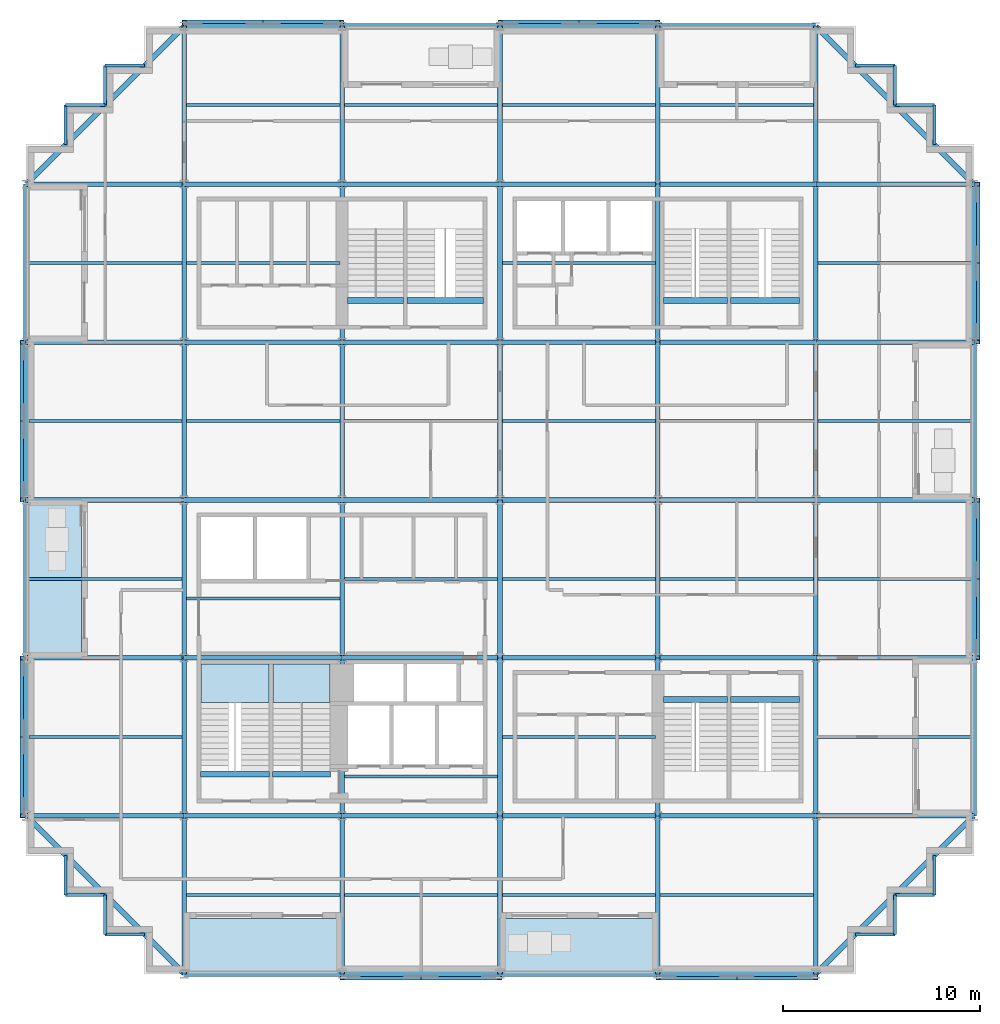
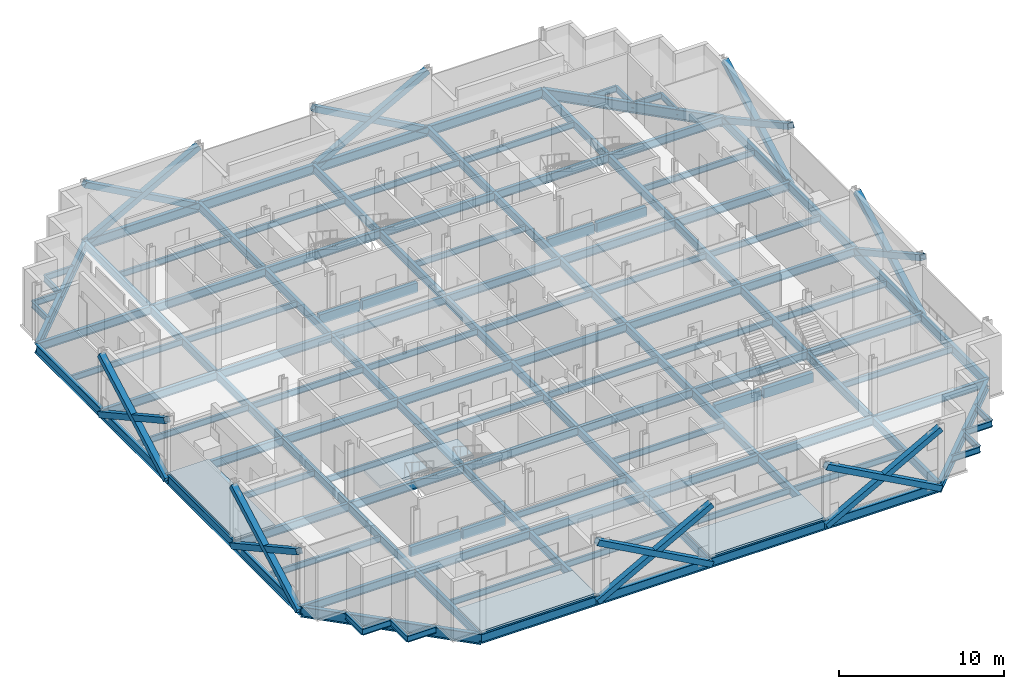
# One storey, part 4 of 15: 132 beams, 16 members, 5 slabs, 2 elements without a shape of their own.
"""IFC4 building model written with IfcOpenShell, lengths in metres."""

from ifc_helpers import new_model, si_unit, direction, frame, origin, origin_2d, place, context, subcontext, project, spatial, polyline, rectangle, hollow_rectangle, i_section, outline, extrude, material, layer, layer_set, material_profile, profile_set, type_object, element, aggregate, save


model = new_model("IFC4")

# Units and contexts
model_context = context("Model", 3, precision=1e-05, world=origin(), true_north=direction((0.0, 1.0)))
body_context = subcontext(model_context, "Body", "Model", "MODEL_VIEW")
ifc_project = project(units=[si_unit("LENGTHUNIT", "METRE"), si_unit("AREAUNIT", "SQUARE_METRE"), si_unit("VOLUMEUNIT", "CUBIC_METRE"), si_unit("PLANEANGLEUNIT", "RADIAN"), si_unit("MASSUNIT", "GRAM", prefix="KILO")], contexts=[model_context])

# Site, building, storey
site_placement = place(None, origin())
site = spatial("IfcSite", under=ifc_project, at=site_placement, CompositionType="ELEMENT")
building_placement = place(site_placement, origin())
building = spatial("IfcBuilding", under=site, at=building_placement, Name="Immortelle Media Tower", CompositionType="ELEMENT")
storey_placement = place(building_placement, frame((0.0, 0.0, 92.0)))
storey = spatial("IfcBuildingStorey", under=building, at=storey_placement, Name="L17", CompositionType="ELEMENT", Elevation=92.0)

# Members
ifc_material_1 = material(Name="Steel ASTM A500 Gr C", Category="steel")
ifc_material_profile_1 = material_profile(ifc_material_1, hollow_rectangle(XDim=0.406005859375, YDim=0.406005859375, WallThickness=0.014892578125, at=origin_2d()), Name="HSS16x16x5/8 brace")
ifc_profile_set_1 = profile_set([ifc_material_profile_1], Name="Steel ASTM A500 Gr C")
member_type = type_object("IfcMemberType", Name="HSS16x16x5/8 brace", PredefinedType="BRACE", material=ifc_profile_set_1)
for number, where, z_axis, x_axis, name in (
    (1, (-0.113037109375, 32.0, -0.49658203125), (0.0, -0.876209133828, 0.481931067474), (1.0, 0.0, 0.0), "Brace 1/D-E A"),
    (2, (-0.113037109375, 32.0, 3.903564453125), (0.0, -0.876209133828, -0.481931067474), (1.0, 0.0, 0.0), "Brace 1/D-E B"),
    (3, (-0.113037109375, 16.0, -0.49658203125), (0.0, -0.876209133828, 0.481931067474), (1.0, 0.0, 0.0), "Brace 1/B-C A"),
    (4, (-0.113037109375, 16.0, 3.903564453125), (0.0, -0.876209133828, -0.481931067474), (1.0, 0.0, 0.0), "Brace 1/B-C B"),
    (5, (16.0, -0.113037109375, -0.49658203125), (0.876209133828, 0.0, 0.481931067474), (0.0, 1.0, 0.0), "Brace A/3-4 A"),
    (6, (16.0, -0.113037109375, 3.903564453125), (0.876209133828, 0.0, -0.481931067474), (0.0, 1.0, 0.0), "Brace A/3-4 B"),
    (7, (32.0, -0.113037109375, -0.49658203125), (0.876209133828, 0.0, 0.481931067474), (0.0, 1.0, 0.0), "Brace A/5-6 A"),
    (8, (32.0, -0.113037109375, 3.903564453125), (0.876209133828, 0.0, -0.481931067474), (0.0, 1.0, 0.0), "Brace A/5-6 B"),
    (9, (48.113037109375, 16.0, -0.49658203125), (0.0, 0.876209133828, 0.481931067474), (-1.0, 0.0, 0.0), "Brace 7/C-D A"),
    (10, (48.113037109375, 16.0, 3.903564453125), (0.0, 0.876209133828, -0.481931067474), (-1.0, 0.0, 0.0), "Brace 7/C-D B"),
    (11, (48.113037109375, 32.0, -0.49658203125), (0.0, 0.876209133828, 0.481931067474), (-1.0, 0.0, 0.0), "Brace 7/E-F A"),
    (12, (48.113037109375, 32.0, 3.903564453125), (0.0, 0.876209133828, -0.481931067474), (-1.0, 0.0, 0.0), "Brace 7/E-F B"),
    (13, (32.0, 48.113037109375, -0.49658203125), (-0.876209133828, 0.0, 0.481931067474), (0.0, -1.0, 0.0), "Brace G/4-5 A"),
    (14, (32.0, 48.113037109375, 3.903564453125), (-0.876209133828, 0.0, -0.481931067474), (0.0, -1.0, 0.0), "Brace G/4-5 B"),
    (15, (16.0, 48.113037109375, -0.49658203125), (-0.876209133828, 0.0, 0.481931067474), (0.0, -1.0, 0.0), "Brace G/2-3 A"),
    (16, (16.0, 48.113037109375, 3.903564453125), (-0.876209133828, 0.0, -0.481931067474), (0.0, -1.0, 0.0), "Brace G/2-3 B"),
):
    element("IfcMember", number, at=place(storey_placement, frame(where, z_axis=z_axis, x_axis=x_axis)), inside=storey, type_object=member_type, Name=name, PredefinedType="BRACE", context=body_context, shape_type="SweptSolid", body=[
        extrude(hollow_rectangle(XDim=0.406005859375, YDim=0.406005859375, WallThickness=0.014892578125, at=origin_2d()), origin(), (0.0, 0.0, 1.0), 9.130126953125),
    ])

# Beams
ifc_material_2 = material(Name="Concrete C50/60", Category="concrete")
ifc_material_profile_2 = material_profile(ifc_material_2, rectangle(XDim=0.300048828125, YDim=0.699951171875, at=origin_2d()), Name="RC 300x700")
ifc_profile_set_2 = profile_set([ifc_material_profile_2], Name="Concrete C50/60")
beam_type_1 = type_object("IfcBeamType", Name="Stair trimmer beam 300 x 700", PredefinedType="BEAM", material=ifc_profile_set_2)
beam_1_placement = place(storey_placement, frame((8.830078125, 10.10498046875, -0.5), z_axis=(1.0, 0.0, 0.0), x_axis=(0.0, 1.0, 0.0)))
element("IfcBeam", 17, at=beam_1_placement, inside=storey, type_object=beam_type_1, Name="Stair trimmer beam SW1", PredefinedType="BEAM", context=body_context, shape_type="SweptSolid", body=[
    extrude(rectangle(XDim=0.300048828125, YDim=0.699951171875, at=origin_2d()), origin(), (0.0, 0.0, 1.0), 3.489990234375),
])
beam_2_placement = place(storey_placement, frame((12.47998046875, 10.10498046875, -0.5), z_axis=(1.0, 0.0, 0.0), x_axis=(0.0, 1.0, 0.0)))
element("IfcBeam", 18, at=beam_2_placement, inside=storey, type_object=beam_type_1, Name="Stair trimmer beam SW2", PredefinedType="BEAM", context=body_context, shape_type="SweptSolid", body=[
    extrude(rectangle(XDim=0.300048828125, YDim=0.699951171875, at=origin_2d()), origin(), (0.0, 0.0, 1.0), 2.93994140625),
])
beam_3_placement = place(storey_placement, frame((32.280029296875, 13.89501953125, -0.5), z_axis=(1.0, 0.0, 0.0), x_axis=(0.0, 1.0, 0.0)))
element("IfcBeam", 19, at=beam_3_placement, inside=storey, type_object=beam_type_1, Name="Stair trimmer beam SE1", PredefinedType="BEAM", context=body_context, shape_type="SweptSolid", body=[
    extrude(rectangle(XDim=0.300048828125, YDim=0.699951171875, at=origin_2d()), origin(), (0.0, 0.0, 1.0), 3.239990234375),
])
beam_4_placement = place(storey_placement, frame((35.679931640625, 13.89501953125, -0.5), z_axis=(1.0, 0.0, 0.0), x_axis=(0.0, 1.0, 0.0)))
element("IfcBeam", 20, at=beam_4_placement, inside=storey, type_object=beam_type_1, Name="Stair trimmer beam SE2", PredefinedType="BEAM", context=body_context, shape_type="SweptSolid", body=[
    extrude(rectangle(XDim=0.300048828125, YDim=0.699951171875, at=origin_2d()), origin(), (0.0, 0.0, 1.0), 3.489990234375),
])
beam_5_placement = place(storey_placement, frame((16.280029296875, 34.10498046875, -0.5), z_axis=(1.0, 0.0, 0.0), x_axis=(0.0, 1.0, 0.0)))
element("IfcBeam", 21, at=beam_5_placement, inside=storey, type_object=beam_type_1, Name="Stair trimmer beam NW1", PredefinedType="BEAM", context=body_context, shape_type="SweptSolid", body=[
    extrude(rectangle(XDim=0.300048828125, YDim=0.699951171875, at=origin_2d()), origin(), (0.0, 0.0, 1.0), 2.840087890625),
])
beam_6_placement = place(storey_placement, frame((19.280029296875, 34.10498046875, -0.5), z_axis=(1.0, 0.0, 0.0), x_axis=(0.0, 1.0, 0.0)))
element("IfcBeam", 22, at=beam_6_placement, inside=storey, type_object=beam_type_1, Name="Stair trimmer beam NW2", PredefinedType="BEAM", context=body_context, shape_type="SweptSolid", body=[
    extrude(rectangle(XDim=0.300048828125, YDim=0.699951171875, at=origin_2d()), origin(), (0.0, 0.0, 1.0), 3.889892578125),
])
beam_7_placement = place(storey_placement, frame((32.280029296875, 34.10498046875, -0.5), z_axis=(1.0, 0.0, 0.0), x_axis=(0.0, 1.0, 0.0)))
element("IfcBeam", 23, at=beam_7_placement, inside=storey, type_object=beam_type_1, Name="Stair trimmer beam NE1", PredefinedType="BEAM", context=body_context, shape_type="SweptSolid", body=[
    extrude(rectangle(XDim=0.300048828125, YDim=0.699951171875, at=origin_2d()), origin(), (0.0, 0.0, 1.0), 3.239990234375),
])
beam_8_placement = place(storey_placement, frame((35.679931640625, 34.10498046875, -0.5), z_axis=(1.0, 0.0, 0.0), x_axis=(0.0, 1.0, 0.0)))
element("IfcBeam", 24, at=beam_8_placement, inside=storey, type_object=beam_type_1, Name="Stair trimmer beam NE2", PredefinedType="BEAM", context=body_context, shape_type="SweptSolid", body=[
    extrude(rectangle(XDim=0.300048828125, YDim=0.699951171875, at=origin_2d()), origin(), (0.0, 0.0, 1.0), 3.489990234375),
])
ifc_material_3 = material(Name="Steel ASTM A992 Gr 50", Category="steel")
ifc_material_profile_3 = material_profile(ifc_material_3, i_section(OverallWidth=0.153076171875, OverallDepth=0.455078125, WebThickness=0.008056640625, FlangeThickness=0.012939453125, at=origin_2d()), Name="W18x40")
ifc_profile_set_3 = profile_set([ifc_material_profile_3], Name="Steel ASTM A992 Gr 50")
beam_type_2 = type_object("IfcBeamType", Name="W18x40 secondary beam", PredefinedType="JOIST", material=ifc_profile_set_3)
for number, where, z_axis, x_axis, name in (
    (25, (8.114501953125, 4.0, -0.37744140625), (1.0, 0.0, 0.0), (0.0, 1.0, 0.0), "Beam A-B/2-3"),
    (26, (16.114501953125, 4.0, -0.37744140625), (1.0, 0.0, 0.0), (0.0, 1.0, 0.0), "Beam A-B/3-4"),
    (27, (24.114501953125, 4.0, -0.37744140625), (1.0, 0.0, 0.0), (0.0, 1.0, 0.0), "Beam A-B/4-5"),
    (28, (32.114501953125, 4.0, -0.37744140625), (1.0, 0.0, 0.0), (0.0, 1.0, 0.0), "Beam A-B/5-6"),
):
    element("IfcBeam", number, at=place(storey_placement, frame(where, z_axis=z_axis, x_axis=x_axis)), inside=storey, type_object=beam_type_2, Name=name, PredefinedType="JOIST", context=body_context, shape_type="SweptSolid", body=[
        extrude(i_section(OverallWidth=0.153076171875, OverallDepth=0.455078125, WebThickness=0.008056640625, FlangeThickness=0.012939453125, at=origin_2d()), origin(), (0.0, 0.0, 1.0), 7.77099609375),
    ])
beam_9_placement = place(storey_placement, frame((0.12841796875, 12.0, -0.37744140625), z_axis=(1.0, 0.0, 0.0), x_axis=(0.0, 1.0, 0.0)))
element("IfcBeam", 29, at=beam_9_placement, inside=storey, type_object=beam_type_2, Name="Beam B-C/1-2", PredefinedType="JOIST", context=body_context, shape_type="SweptSolid", body=[
    extrude(i_section(OverallWidth=0.153076171875, OverallDepth=0.455078125, WebThickness=0.008056640625, FlangeThickness=0.012939453125, at=origin_2d()), origin(), (0.0, 0.0, 1.0), 7.757080078125),
])
for number, where, z_axis, x_axis, name in (
    (30, (16.114501953125, 10.0, -0.37744140625), (1.0, 0.0, 0.0), (0.0, 1.0, 0.0), "Beam B-C/3-4"),
    (31, (24.114501953125, 12.0, -0.37744140625), (1.0, 0.0, 0.0), (0.0, 1.0, 0.0), "Beam B-C/4-5"),
):
    element("IfcBeam", number, at=place(storey_placement, frame(where, z_axis=z_axis, x_axis=x_axis)), inside=storey, type_object=beam_type_2, Name=name, PredefinedType="JOIST", context=body_context, shape_type="SweptSolid", body=[
        extrude(i_section(OverallWidth=0.153076171875, OverallDepth=0.455078125, WebThickness=0.008056640625, FlangeThickness=0.012939453125, at=origin_2d()), origin(), (0.0, 0.0, 1.0), 7.77099609375),
    ])
for number, where, z_axis, x_axis, name in (
    (32, (40.114501953125, 12.0, -0.37744140625), (1.0, 0.0, 0.0), (0.0, 1.0, 0.0), "Beam B-C/6-7"),
    (33, (0.12841796875, 20.0, -0.37744140625), (1.0, 0.0, 0.0), (0.0, 1.0, 0.0), "Beam C-D/1-2"),
):
    element("IfcBeam", number, at=place(storey_placement, frame(where, z_axis=z_axis, x_axis=x_axis)), inside=storey, type_object=beam_type_2, Name=name, PredefinedType="JOIST", context=body_context, shape_type="SweptSolid", body=[
        extrude(i_section(OverallWidth=0.153076171875, OverallDepth=0.455078125, WebThickness=0.008056640625, FlangeThickness=0.012939453125, at=origin_2d()), origin(), (0.0, 0.0, 1.0), 7.757080078125),
    ])
for number, where, z_axis, x_axis, name in (
    (34, (8.114501953125, 19.0, -0.37744140625), (1.0, 0.0, 0.0), (0.0, 1.0, 0.0), "Beam C-D/2-3"),
    (35, (16.114501953125, 20.0, -0.37744140625), (1.0, 0.0, 0.0), (0.0, 1.0, 0.0), "Beam C-D/3-4"),
    (36, (24.114501953125, 20.0, -0.37744140625), (1.0, 0.0, 0.0), (0.0, 1.0, 0.0), "Beam C-D/4-5"),
    (37, (32.114501953125, 20.0, -0.37744140625), (1.0, 0.0, 0.0), (0.0, 1.0, 0.0), "Beam C-D/5-6"),
):
    element("IfcBeam", number, at=place(storey_placement, frame(where, z_axis=z_axis, x_axis=x_axis)), inside=storey, type_object=beam_type_2, Name=name, PredefinedType="JOIST", context=body_context, shape_type="SweptSolid", body=[
        extrude(i_section(OverallWidth=0.153076171875, OverallDepth=0.455078125, WebThickness=0.008056640625, FlangeThickness=0.012939453125, at=origin_2d()), origin(), (0.0, 0.0, 1.0), 7.77099609375),
    ])
for number, where, z_axis, x_axis, name in (
    (38, (40.114501953125, 20.0, -0.37744140625), (1.0, 0.0, 0.0), (0.0, 1.0, 0.0), "Beam C-D/6-7"),
    (39, (0.12841796875, 28.0, -0.37744140625), (1.0, 0.0, 0.0), (0.0, 1.0, 0.0), "Beam D-E/1-2"),
):
    element("IfcBeam", number, at=place(storey_placement, frame(where, z_axis=z_axis, x_axis=x_axis)), inside=storey, type_object=beam_type_2, Name=name, PredefinedType="JOIST", context=body_context, shape_type="SweptSolid", body=[
        extrude(i_section(OverallWidth=0.153076171875, OverallDepth=0.455078125, WebThickness=0.008056640625, FlangeThickness=0.012939453125, at=origin_2d()), origin(), (0.0, 0.0, 1.0), 7.757080078125),
    ])
for number, where, z_axis, x_axis, name in (
    (40, (8.114501953125, 28.0, -0.37744140625), (1.0, 0.0, 0.0), (0.0, 1.0, 0.0), "Beam D-E/2-3"),
    (41, (16.114501953125, 28.0, -0.37744140625), (1.0, 0.0, 0.0), (0.0, 1.0, 0.0), "Beam D-E/3-4"),
    (42, (24.114501953125, 28.0, -0.37744140625), (1.0, 0.0, 0.0), (0.0, 1.0, 0.0), "Beam D-E/4-5"),
    (43, (32.114501953125, 28.0, -0.37744140625), (1.0, 0.0, 0.0), (0.0, 1.0, 0.0), "Beam D-E/5-6"),
):
    element("IfcBeam", number, at=place(storey_placement, frame(where, z_axis=z_axis, x_axis=x_axis)), inside=storey, type_object=beam_type_2, Name=name, PredefinedType="JOIST", context=body_context, shape_type="SweptSolid", body=[
        extrude(i_section(OverallWidth=0.153076171875, OverallDepth=0.455078125, WebThickness=0.008056640625, FlangeThickness=0.012939453125, at=origin_2d()), origin(), (0.0, 0.0, 1.0), 7.77099609375),
    ])
for number, where, z_axis, x_axis, name in (
    (44, (40.114501953125, 28.0, -0.37744140625), (1.0, 0.0, 0.0), (0.0, 1.0, 0.0), "Beam D-E/6-7"),
    (45, (0.12841796875, 36.0, -0.37744140625), (1.0, 0.0, 0.0), (0.0, 1.0, 0.0), "Beam E-F/1-2"),
):
    element("IfcBeam", number, at=place(storey_placement, frame(where, z_axis=z_axis, x_axis=x_axis)), inside=storey, type_object=beam_type_2, Name=name, PredefinedType="JOIST", context=body_context, shape_type="SweptSolid", body=[
        extrude(i_section(OverallWidth=0.153076171875, OverallDepth=0.455078125, WebThickness=0.008056640625, FlangeThickness=0.012939453125, at=origin_2d()), origin(), (0.0, 0.0, 1.0), 7.757080078125),
    ])
for number, where, z_axis, x_axis, name in (
    (46, (8.114501953125, 36.0, -0.37744140625), (1.0, 0.0, 0.0), (0.0, 1.0, 0.0), "Beam E-F/2-3"),
    (47, (24.114501953125, 36.0, -0.37744140625), (1.0, 0.0, 0.0), (0.0, 1.0, 0.0), "Beam E-F/4-5"),
):
    element("IfcBeam", number, at=place(storey_placement, frame(where, z_axis=z_axis, x_axis=x_axis)), inside=storey, type_object=beam_type_2, Name=name, PredefinedType="JOIST", context=body_context, shape_type="SweptSolid", body=[
        extrude(i_section(OverallWidth=0.153076171875, OverallDepth=0.455078125, WebThickness=0.008056640625, FlangeThickness=0.012939453125, at=origin_2d()), origin(), (0.0, 0.0, 1.0), 7.77099609375),
    ])
beam_10_placement = place(storey_placement, frame((40.114501953125, 36.0, -0.37744140625), z_axis=(1.0, 0.0, 0.0), x_axis=(0.0, 1.0, 0.0)))
element("IfcBeam", 48, at=beam_10_placement, inside=storey, type_object=beam_type_2, Name="Beam E-F/6-7", PredefinedType="JOIST", context=body_context, shape_type="SweptSolid", body=[
    extrude(i_section(OverallWidth=0.153076171875, OverallDepth=0.455078125, WebThickness=0.008056640625, FlangeThickness=0.012939453125, at=origin_2d()), origin(), (0.0, 0.0, 1.0), 7.757080078125),
])
for number, where, z_axis, x_axis, name in (
    (49, (8.114501953125, 44.0, -0.37744140625), (1.0, 0.0, 0.0), (0.0, 1.0, 0.0), "Beam F-G/2-3"),
    (50, (16.114501953125, 44.0, -0.37744140625), (1.0, 0.0, 0.0), (0.0, 1.0, 0.0), "Beam F-G/3-4"),
    (51, (24.114501953125, 44.0, -0.37744140625), (1.0, 0.0, 0.0), (0.0, 1.0, 0.0), "Beam F-G/4-5"),
    (52, (32.114501953125, 44.0, -0.37744140625), (1.0, 0.0, 0.0), (0.0, 1.0, 0.0), "Beam F-G/5-6"),
):
    element("IfcBeam", number, at=place(storey_placement, frame(where, z_axis=z_axis, x_axis=x_axis)), inside=storey, type_object=beam_type_2, Name=name, PredefinedType="JOIST", context=body_context, shape_type="SweptSolid", body=[
        extrude(i_section(OverallWidth=0.153076171875, OverallDepth=0.455078125, WebThickness=0.008056640625, FlangeThickness=0.012939453125, at=origin_2d()), origin(), (0.0, 0.0, 1.0), 7.77099609375),
    ])
ifc_material_profile_4 = material_profile(ifc_material_3, i_section(OverallWidth=0.153076171875, OverallDepth=0.455078125, WebThickness=0.008056640625, FlangeThickness=0.012939453125, at=origin_2d()), Name="W18x40")
ifc_profile_set_4 = profile_set([ifc_material_profile_4], Name="Steel ASTM A992 Gr 50")
beam_type_3 = type_object("IfcBeamType", Name="W18x40 serration edge beam", PredefinedType="SPANDREL", material=ifc_profile_set_4)
for number, where, z_axis, x_axis, name in (
    (53, (6.0, 2.0, -0.37744140625), (-1.0, 0.0, 0.0), (0.0, -1.0, 0.0), "Corner edge beam 1 at 1/A"),
    (54, (4.0, 2.0, -0.37744140625), (0.0, 1.0, 0.0), (-1.0, 0.0, 0.0), "Corner edge beam 2 at 1/A"),
    (55, (4.0, 4.0, -0.37744140625), (-1.0, 0.0, 0.0), (0.0, -1.0, 0.0), "Corner edge beam 3 at 1/A"),
    (56, (2.0, 4.0, -0.37744140625), (0.0, 1.0, 0.0), (-1.0, 0.0, 0.0), "Corner edge beam 4 at 1/A"),
    (57, (2.0, 42.0, -0.37744140625), (0.0, 1.0, 0.0), (-1.0, 0.0, 0.0), "Corner edge beam 1 at 1/G"),
    (58, (2.0, 44.0, -0.37744140625), (1.0, 0.0, 0.0), (0.0, 1.0, 0.0), "Corner edge beam 2 at 1/G"),
    (59, (4.0, 44.0, -0.37744140625), (0.0, 1.0, 0.0), (-1.0, 0.0, 0.0), "Corner edge beam 3 at 1/G"),
    (60, (4.0, 46.0, -0.37744140625), (1.0, 0.0, 0.0), (0.0, 1.0, 0.0), "Corner edge beam 4 at 1/G"),
    (61, (46.0, 6.0, -0.37744140625), (0.0, -1.0, 0.0), (1.0, 0.0, 0.0), "Corner edge beam 1 at 7/A"),
    (62, (46.0, 4.0, -0.37744140625), (-1.0, 0.0, 0.0), (0.0, -1.0, 0.0), "Corner edge beam 2 at 7/A"),
    (63, (44.0, 4.0, -0.37744140625), (0.0, -1.0, 0.0), (1.0, 0.0, 0.0), "Corner edge beam 3 at 7/A"),
    (64, (44.0, 2.0, -0.37744140625), (-1.0, 0.0, 0.0), (0.0, -1.0, 0.0), "Corner edge beam 4 at 7/A"),
    (65, (42.0, 46.0, -0.37744140625), (1.0, 0.0, 0.0), (0.0, 1.0, 0.0), "Corner edge beam 1 at 7/G"),
    (66, (44.0, 46.0, -0.37744140625), (0.0, -1.0, 0.0), (1.0, 0.0, 0.0), "Corner edge beam 2 at 7/G"),
    (67, (44.0, 44.0, -0.37744140625), (1.0, 0.0, 0.0), (0.0, 1.0, 0.0), "Corner edge beam 3 at 7/G"),
    (68, (46.0, 44.0, -0.37744140625), (0.0, -1.0, 0.0), (1.0, 0.0, 0.0), "Corner edge beam 4 at 7/G"),
):
    element("IfcBeam", number, at=place(storey_placement, frame(where, z_axis=z_axis, x_axis=x_axis)), inside=storey, type_object=beam_type_3, Name=name, PredefinedType="SPANDREL", context=body_context, shape_type="SweptSolid", body=[
        extrude(i_section(OverallWidth=0.153076171875, OverallDepth=0.455078125, WebThickness=0.008056640625, FlangeThickness=0.012939453125, at=origin_2d()), origin(), (0.0, 0.0, 1.0), 2.0),
    ])
ifc_material_profile_5 = material_profile(ifc_material_3, i_section(OverallWidth=0.22900390625, OverallDepth=0.612060546875, WebThickness=0.011962890625, FlangeThickness=0.02001953125, at=origin_2d()), Name="W24x84")
ifc_profile_set_5 = profile_set([ifc_material_profile_5], Name="Steel ASTM A992 Gr 50")
beam_type_4 = type_object("IfcBeamType", Name="W24x84 girder", PredefinedType="BEAM", material=ifc_profile_set_5)
for number, where, z_axis, x_axis, name in (
    (69, (0.0, 8.0, -0.4560546875), (1.0, 0.0, 0.0), (0.0, 1.0, 0.0), "Girder B/1-2"),
    (70, (0.0, 16.0, -0.4560546875), (1.0, 0.0, 0.0), (0.0, 1.0, 0.0), "Girder C/1-2"),
    (71, (0.0, 24.0, -0.4560546875), (1.0, 0.0, 0.0), (0.0, 1.0, 0.0), "Girder D/1-2"),
    (72, (0.0, 32.0, -0.4560546875), (1.0, 0.0, 0.0), (0.0, 1.0, 0.0), "Girder E/1-2"),
    (73, (0.0, 40.0, -0.4560546875), (1.0, 0.0, 0.0), (0.0, 1.0, 0.0), "Girder F/1-2"),
    (74, (8.0, 0.0, -0.4560546875), (0.0, 1.0, 0.0), (-1.0, 0.0, 0.0), "Girder 2/A-B"),
    (75, (8.0, 8.0, -0.4560546875), (1.0, 0.0, 0.0), (0.0, 1.0, 0.0), "Girder B/2-3"),
    (76, (8.0, 8.0, -0.4560546875), (0.0, 1.0, 0.0), (-1.0, 0.0, 0.0), "Girder 2/B-C"),
    (77, (8.0, 16.0, -0.4560546875), (1.0, 0.0, 0.0), (0.0, 1.0, 0.0), "Girder C/2-3"),
    (78, (8.0, 16.0, -0.4560546875), (0.0, 1.0, 0.0), (-1.0, 0.0, 0.0), "Girder 2/C-D"),
    (79, (8.0, 24.0, -0.4560546875), (1.0, 0.0, 0.0), (0.0, 1.0, 0.0), "Girder D/2-3"),
    (80, (8.0, 24.0, -0.4560546875), (0.0, 1.0, 0.0), (-1.0, 0.0, 0.0), "Girder 2/D-E"),
    (81, (8.0, 32.0, -0.4560546875), (1.0, 0.0, 0.0), (0.0, 1.0, 0.0), "Girder E/2-3"),
    (82, (8.0, 32.0, -0.4560546875), (0.0, 1.0, 0.0), (-1.0, 0.0, 0.0), "Girder 2/E-F"),
    (83, (8.0, 40.0, -0.4560546875), (1.0, 0.0, 0.0), (0.0, 1.0, 0.0), "Girder F/2-3"),
    (84, (8.0, 40.0, -0.4560546875), (0.0, 1.0, 0.0), (-1.0, 0.0, 0.0), "Girder 2/F-G"),
    (85, (16.0, 0.0, -0.4560546875), (0.0, 1.0, 0.0), (-1.0, 0.0, 0.0), "Girder 3/A-B"),
    (86, (16.0, 8.0, -0.4560546875), (1.0, 0.0, 0.0), (0.0, 1.0, 0.0), "Girder B/3-4"),
    (87, (16.0, 8.0, -0.4560546875), (0.0, 1.0, 0.0), (-1.0, 0.0, 0.0), "Girder 3/B-C"),
    (88, (16.0, 16.0, -0.4560546875), (1.0, 0.0, 0.0), (0.0, 1.0, 0.0), "Girder C/3-4"),
    (89, (16.0, 16.0, -0.4560546875), (0.0, 1.0, 0.0), (-1.0, 0.0, 0.0), "Girder 3/C-D"),
    (90, (16.0, 24.0, -0.4560546875), (1.0, 0.0, 0.0), (0.0, 1.0, 0.0), "Girder D/3-4"),
    (91, (16.0, 24.0, -0.4560546875), (0.0, 1.0, 0.0), (-1.0, 0.0, 0.0), "Girder 3/D-E"),
    (92, (16.0, 32.0, -0.4560546875), (1.0, 0.0, 0.0), (0.0, 1.0, 0.0), "Girder E/3-4"),
    (93, (16.0, 32.0, -0.4560546875), (0.0, 1.0, 0.0), (-1.0, 0.0, 0.0), "Girder 3/E-F"),
    (94, (16.0, 40.0, -0.4560546875), (1.0, 0.0, 0.0), (0.0, 1.0, 0.0), "Girder F/3-4"),
    (95, (16.0, 40.0, -0.4560546875), (0.0, 1.0, 0.0), (-1.0, 0.0, 0.0), "Girder 3/F-G"),
    (96, (24.0, 0.0, -0.4560546875), (0.0, 1.0, 0.0), (-1.0, 0.0, 0.0), "Girder 4/A-B"),
    (97, (24.0, 8.0, -0.4560546875), (1.0, 0.0, 0.0), (0.0, 1.0, 0.0), "Girder B/4-5"),
    (98, (24.0, 8.0, -0.4560546875), (0.0, 1.0, 0.0), (-1.0, 0.0, 0.0), "Girder 4/B-C"),
    (99, (24.0, 16.0, -0.4560546875), (1.0, 0.0, 0.0), (0.0, 1.0, 0.0), "Girder C/4-5"),
    (100, (24.0, 16.0, -0.4560546875), (0.0, 1.0, 0.0), (-1.0, 0.0, 0.0), "Girder 4/C-D"),
    (101, (24.0, 24.0, -0.4560546875), (1.0, 0.0, 0.0), (0.0, 1.0, 0.0), "Girder D/4-5"),
    (102, (24.0, 24.0, -0.4560546875), (0.0, 1.0, 0.0), (-1.0, 0.0, 0.0), "Girder 4/D-E"),
    (103, (24.0, 32.0, -0.4560546875), (1.0, 0.0, 0.0), (0.0, 1.0, 0.0), "Girder E/4-5"),
    (104, (24.0, 32.0, -0.4560546875), (0.0, 1.0, 0.0), (-1.0, 0.0, 0.0), "Girder 4/E-F"),
    (105, (24.0, 40.0, -0.4560546875), (1.0, 0.0, 0.0), (0.0, 1.0, 0.0), "Girder F/4-5"),
    (106, (24.0, 40.0, -0.4560546875), (0.0, 1.0, 0.0), (-1.0, 0.0, 0.0), "Girder 4/F-G"),
    (107, (32.0, 0.0, -0.4560546875), (0.0, 1.0, 0.0), (-1.0, 0.0, 0.0), "Girder 5/A-B"),
    (108, (32.0, 8.0, -0.4560546875), (1.0, 0.0, 0.0), (0.0, 1.0, 0.0), "Girder B/5-6"),
    (109, (32.0, 8.0, -0.4560546875), (0.0, 1.0, 0.0), (-1.0, 0.0, 0.0), "Girder 5/B-C"),
    (110, (32.0, 16.0, -0.4560546875), (1.0, 0.0, 0.0), (0.0, 1.0, 0.0), "Girder C/5-6"),
    (111, (32.0, 16.0, -0.4560546875), (0.0, 1.0, 0.0), (-1.0, 0.0, 0.0), "Girder 5/C-D"),
    (112, (32.0, 24.0, -0.4560546875), (1.0, 0.0, 0.0), (0.0, 1.0, 0.0), "Girder D/5-6"),
    (113, (32.0, 24.0, -0.4560546875), (0.0, 1.0, 0.0), (-1.0, 0.0, 0.0), "Girder 5/D-E"),
    (114, (32.0, 32.0, -0.4560546875), (1.0, 0.0, 0.0), (0.0, 1.0, 0.0), "Girder E/5-6"),
    (115, (32.0, 32.0, -0.4560546875), (0.0, 1.0, 0.0), (-1.0, 0.0, 0.0), "Girder 5/E-F"),
    (116, (32.0, 40.0, -0.4560546875), (1.0, 0.0, 0.0), (0.0, 1.0, 0.0), "Girder F/5-6"),
    (117, (32.0, 40.0, -0.4560546875), (0.0, 1.0, 0.0), (-1.0, 0.0, 0.0), "Girder 5/F-G"),
    (118, (40.0, 0.0, -0.4560546875), (0.0, 1.0, 0.0), (-1.0, 0.0, 0.0), "Girder 6/A-B"),
    (119, (40.0, 8.0, -0.4560546875), (1.0, 0.0, 0.0), (0.0, 1.0, 0.0), "Girder B/6-7"),
    (120, (40.0, 8.0, -0.4560546875), (0.0, 1.0, 0.0), (-1.0, 0.0, 0.0), "Girder 6/B-C"),
    (121, (40.0, 16.0, -0.4560546875), (1.0, 0.0, 0.0), (0.0, 1.0, 0.0), "Girder C/6-7"),
    (122, (40.0, 16.0, -0.4560546875), (0.0, 1.0, 0.0), (-1.0, 0.0, 0.0), "Girder 6/C-D"),
    (123, (40.0, 24.0, -0.4560546875), (1.0, 0.0, 0.0), (0.0, 1.0, 0.0), "Girder D/6-7"),
    (124, (40.0, 24.0, -0.4560546875), (0.0, 1.0, 0.0), (-1.0, 0.0, 0.0), "Girder 6/D-E"),
    (125, (40.0, 32.0, -0.4560546875), (1.0, 0.0, 0.0), (0.0, 1.0, 0.0), "Girder E/6-7"),
    (126, (40.0, 32.0, -0.4560546875), (0.0, 1.0, 0.0), (-1.0, 0.0, 0.0), "Girder 6/E-F"),
    (127, (40.0, 40.0, -0.4560546875), (1.0, 0.0, 0.0), (0.0, 1.0, 0.0), "Girder F/6-7"),
    (128, (40.0, 40.0, -0.4560546875), (0.0, 1.0, 0.0), (-1.0, 0.0, 0.0), "Girder 6/F-G"),
):
    element("IfcBeam", number, at=place(storey_placement, frame(where, z_axis=z_axis, x_axis=x_axis)), inside=storey, type_object=beam_type_4, Name=name, PredefinedType="BEAM", context=body_context, shape_type="SweptSolid", body=[
        extrude(i_section(OverallWidth=0.22900390625, OverallDepth=0.612060546875, WebThickness=0.011962890625, FlangeThickness=0.02001953125, at=origin_2d()), origin(), (0.0, 0.0, 1.0), 8.0),
    ])
ifc_material_profile_6 = material_profile(ifc_material_3, i_section(OverallWidth=0.257080078125, OverallDepth=0.693115234375, WebThickness=0.013916015625, FlangeThickness=0.02392578125, at=origin_2d()), Name="W27x114")
ifc_profile_set_6 = profile_set([ifc_material_profile_6], Name="Steel ASTM A992 Gr 50")
beam_type_5 = type_object("IfcBeamType", Name="W27x114 perimeter girder", PredefinedType="SPANDREL", material=ifc_profile_set_6)
for number, where, z_axis, x_axis, name in (
    (129, (0.0, 8.0, -0.49658203125), (0.0, 1.0, 0.0), (-1.0, 0.0, 0.0), "Girder 1/B-C"),
    (130, (0.0, 16.0, -0.49658203125), (0.0, 1.0, 0.0), (-1.0, 0.0, 0.0), "Girder 1/C-D"),
    (131, (0.0, 24.0, -0.49658203125), (0.0, 1.0, 0.0), (-1.0, 0.0, 0.0), "Girder 1/D-E"),
    (132, (0.0, 32.0, -0.49658203125), (0.0, 1.0, 0.0), (-1.0, 0.0, 0.0), "Girder 1/E-F"),
    (133, (8.0, 0.0, -0.49658203125), (1.0, 0.0, 0.0), (0.0, 1.0, 0.0), "Girder A/2-3"),
    (134, (8.0, 48.0, -0.49658203125), (1.0, 0.0, 0.0), (0.0, 1.0, 0.0), "Girder G/2-3"),
    (135, (16.0, 0.0, -0.49658203125), (1.0, 0.0, 0.0), (0.0, 1.0, 0.0), "Girder A/3-4"),
    (136, (16.0, 48.0, -0.49658203125), (1.0, 0.0, 0.0), (0.0, 1.0, 0.0), "Girder G/3-4"),
    (137, (24.0, 0.0, -0.49658203125), (1.0, 0.0, 0.0), (0.0, 1.0, 0.0), "Girder A/4-5"),
    (138, (24.0, 48.0, -0.49658203125), (1.0, 0.0, 0.0), (0.0, 1.0, 0.0), "Girder G/4-5"),
    (139, (32.0, 0.0, -0.49658203125), (1.0, 0.0, 0.0), (0.0, 1.0, 0.0), "Girder A/5-6"),
    (140, (32.0, 48.0, -0.49658203125), (1.0, 0.0, 0.0), (0.0, 1.0, 0.0), "Girder G/5-6"),
    (141, (48.0, 8.0, -0.49658203125), (0.0, 1.0, 0.0), (-1.0, 0.0, 0.0), "Girder 7/B-C"),
    (142, (48.0, 16.0, -0.49658203125), (0.0, 1.0, 0.0), (-1.0, 0.0, 0.0), "Girder 7/C-D"),
    (143, (48.0, 24.0, -0.49658203125), (0.0, 1.0, 0.0), (-1.0, 0.0, 0.0), "Girder 7/D-E"),
    (144, (48.0, 32.0, -0.49658203125), (0.0, 1.0, 0.0), (-1.0, 0.0, 0.0), "Girder 7/E-F"),
):
    element("IfcBeam", number, at=place(storey_placement, frame(where, z_axis=z_axis, x_axis=x_axis)), inside=storey, type_object=beam_type_5, Name=name, PredefinedType="SPANDREL", context=body_context, shape_type="SweptSolid", body=[
        extrude(i_section(OverallWidth=0.257080078125, OverallDepth=0.693115234375, WebThickness=0.013916015625, FlangeThickness=0.02392578125, at=origin_2d()), origin(), (0.0, 0.0, 1.0), 8.0),
    ])
ifc_material_profile_7 = material_profile(ifc_material_3, i_section(OverallWidth=0.26708984375, OverallDepth=0.780029296875, WebThickness=0.01708984375, FlangeThickness=0.030029296875, at=origin_2d()), Name="W30x148")
ifc_profile_set_7 = profile_set([ifc_material_profile_7], Name="Steel ASTM A992 Gr 50")
beam_type_6 = type_object("IfcBeamType", Name="W30x148 corner girder", PredefinedType="SPANDREL", material=ifc_profile_set_7)
for number, where, z_axis, x_axis, name in (
    (145, (8.0, 0.0, -0.5400390625), (-0.707106781187, 0.707106781187, 0.0), (-0.707106781187, -0.707106781187, 0.0), "Corner girder at 1/A"),
    (146, (0.0, 40.0, -0.5400390625), (0.707106781187, 0.707106781187, 0.0), (-0.707106781187, 0.707106781187, 0.0), "Corner girder at 1/G"),
    (147, (48.0, 8.0, -0.5400390625), (-0.707106781187, -0.707106781187, 0.0), (0.707106781187, -0.707106781187, 0.0), "Corner girder at 7/A"),
    (148, (40.0, 48.0, -0.5400390625), (0.707106781187, -0.707106781187, 0.0), (0.707106781187, 0.707106781187, 0.0), "Corner girder at 7/G"),
):
    element("IfcBeam", number, at=place(storey_placement, frame(where, z_axis=z_axis, x_axis=x_axis)), inside=storey, type_object=beam_type_6, Name=name, PredefinedType="SPANDREL", context=body_context, shape_type="SweptSolid", body=[
        extrude(i_section(OverallWidth=0.26708984375, OverallDepth=0.780029296875, WebThickness=0.01708984375, FlangeThickness=0.030029296875, at=origin_2d()), origin(), (0.0, 0.0, 1.0), 11.313720703125),
    ])

# Slabs
ifc_material_4 = material(Name="Concrete C50/60 composite deck", Category="concrete")
ifc_layer_1 = layer(ifc_material_4, 0.14990234375)
ifc_layer_set_1 = layer_set([ifc_layer_1], Name="Concrete C50/60 composite deck")
slab_type_1 = type_object("IfcSlabType", Name="Balcony slab 150", PredefinedType="FLOOR", material=ifc_layer_set_1)
slab_1_placement = place(storey_placement, frame((0.0, 0.0, -0.14990234375)))
element("IfcSlab", 149, at=slab_1_placement, inside=storey, type_object=slab_type_1, Name="Balcony slab L17 W2", PredefinedType="FLOOR", context=body_context, shape_type="SweptSolid", body=[
    extrude(outline(polyline([(2.800048828125, 16.0), (2.800048828125, 24.0), (0.0, 24.0), (0.0, 16.0), (2.800048828125, 16.0)])), origin(), (0.0, 0.0, 1.0), 0.14990234375),
])
slab_2_placement = place(storey_placement, frame((0.0, 0.0, -0.14990234375)))
element("IfcSlab", 150, at=slab_2_placement, inside=storey, type_object=slab_type_1, Name="Balcony slab L17 S0", PredefinedType="FLOOR", context=body_context, shape_type="SweptSolid", body=[
    extrude(outline(polyline([(16.0, 0.0), (16.0, 2.800048828125), (8.0, 2.800048828125), (8.0, 0.0), (16.0, 0.0)])), origin(), (0.0, 0.0, 1.0), 0.14990234375),
])
slab_3_placement = place(storey_placement, frame((0.0, 0.0, -0.14990234375)))
element("IfcSlab", 151, at=slab_3_placement, inside=storey, type_object=slab_type_1, Name="Balcony slab L17 S2", PredefinedType="FLOOR", context=body_context, shape_type="SweptSolid", body=[
    extrude(outline(polyline([(32.0, 0.0), (32.0, 2.800048828125), (24.0, 2.800048828125), (24.0, 0.0), (32.0, 0.0)])), origin(), (0.0, 0.0, 1.0), 0.14990234375),
])

# Stair, slab
stair_type = type_object("IfcStairType", Name="Stair with flights", PredefinedType="DOUBLE_RETURN_STAIR", material=ifc_material_3)
stair_1_placement = place(storey_placement, origin())
stair_1 = element("IfcStair", 152, at=stair_1_placement, inside=storey, type_object=stair_type, Name="Exit stair SW1", PredefinedType="DOUBLE_RETURN_STAIR")
ifc_material_5 = material(Name="Steel ASTM A572 Gr 50", Category="steel")
ifc_layer_2 = layer(ifc_material_5, 0.199951171875)
ifc_layer_set_2 = layer_set([ifc_layer_2], Name="Steel ASTM A572 Gr 50")
slab_type_2 = type_object("IfcSlabType", Name="Stair landing 200", PredefinedType="LANDING", material=ifc_layer_set_2)
slab_4_placement = place(storey_placement, frame((0.0, 0.0, 1.912109375)))
slab_4 = element("IfcSlab", 153, at=slab_4_placement, type_object=slab_type_2, Name="ST SW1 landing 1", PredefinedType="LANDING", context=body_context, shape_type="SweptSolid", body=[
    extrude(outline(polyline([(8.85009765625, 13.72998046875), (12.300048828125, 13.72998046875), (12.300048828125, 15.699951171875), (8.85009765625, 15.699951171875), (8.85009765625, 13.72998046875)])), origin(), (0.0, 0.0, 1.0), 0.199951171875),
])
aggregate(stair_1, [slab_4])

stair_2_placement = place(storey_placement, origin())
stair_2 = element("IfcStair", 154, at=stair_2_placement, inside=storey, type_object=stair_type, Name="Exit stair SW2", PredefinedType="DOUBLE_RETURN_STAIR")
slab_5_placement = place(storey_placement, frame((0.0, 0.0, 1.912109375)))
slab_5 = element("IfcSlab", 155, at=slab_5_placement, type_object=slab_type_2, Name="ST SW2 landing 1", PredefinedType="LANDING", context=body_context, shape_type="SweptSolid", body=[
    extrude(outline(polyline([(12.5, 13.72998046875), (15.39990234375, 13.72998046875), (15.39990234375, 15.699951171875), (12.5, 15.699951171875), (12.5, 13.72998046875)])), origin(), (0.0, 0.0, 1.0), 0.199951171875),
])
aggregate(stair_2, [slab_5])

save(model, "model.ifc")
